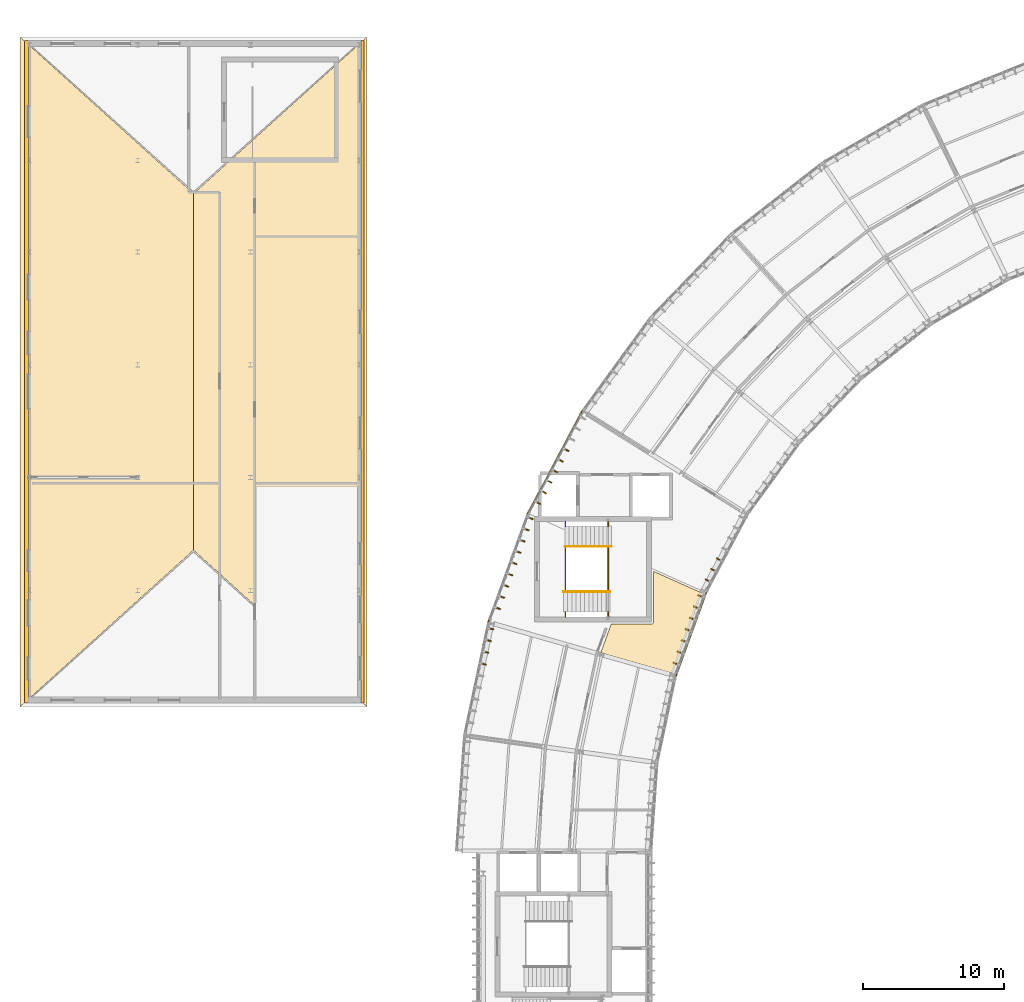
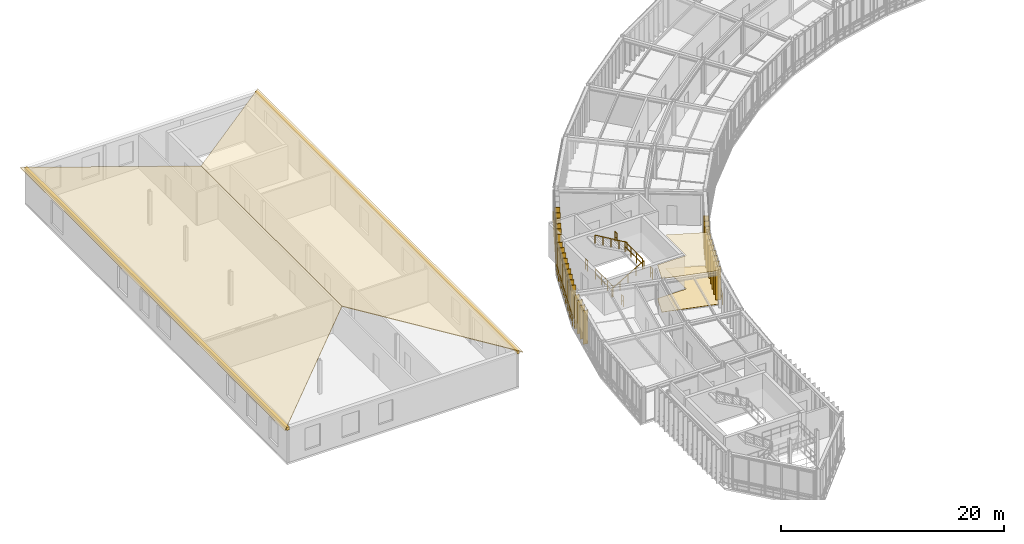
# One storey, part 38 of 42: 35 coverings, 11 railings.
"""IFC4 building model written with IfcOpenShell, lengths in metres."""

from ifc_helpers import new_model, si_unit, direction, frame, origin, origin_2d, place, context, subcontext, project, spatial, polyline, rectangle, circle, outline, extrude, material, layer, layer_set, type_object, element, save


model = new_model("IFC4")

# Units and contexts
model_context = context("Model", 3, precision=1e-05, world=origin(), true_north=direction((0.0, 1.0)))
body_context = subcontext(model_context, "Body", "Model", "MODEL_VIEW")
ifc_project = project(units=[si_unit("LENGTHUNIT", "METRE"), si_unit("AREAUNIT", "SQUARE_METRE"), si_unit("VOLUMEUNIT", "CUBIC_METRE"), si_unit("PLANEANGLEUNIT", "RADIAN"), si_unit("MASSUNIT", "GRAM", prefix="KILO"), si_unit("THERMODYNAMICTEMPERATUREUNIT", "KELVIN"), si_unit("POWERUNIT", "WATT")], contexts=[model_context])

# Site, building, storey
site_placement = place(None, origin())
site = spatial("IfcSite", under=ifc_project, at=site_placement, CompositionType="ELEMENT")
building_placement = place(site_placement, origin())
building = spatial("IfcBuilding", under=site, at=building_placement, Name="Solvatero Civic Police Headquarters", CompositionType="ELEMENT")
storey_placement = place(building_placement, frame((0.0, 0.0, 21.60009765625)))
storey = spatial("IfcBuildingStorey", under=building, at=storey_placement, Name="L05", CompositionType="ELEMENT", Elevation=21.60009765625)

# Coverings
ifc_material_1 = material(Name="Mineral-Fibre Acoustic Tile", Category="gypsum")
ifc_layer_1 = layer(ifc_material_1, 0.02490234375)
ifc_layer_set_1 = layer_set([ifc_layer_1], Name="Mineral-Fibre Acoustic Tile")
covering_type_1 = type_object("IfcCoveringType", Name="COV-CEIL-AC", PredefinedType="CEILING", material=ifc_layer_set_1)
covering_1_placement = place(storey_placement, frame((0.0, 0.0, 3.6748046875)))
element("IfcCovering", 1, at=covering_1_placement, inside=storey, type_object=covering_type_1, Name="Acoustic Ceiling Internal Affairs Inspectorate Suite Bay 10", PredefinedType="CEILING", context=body_context, shape_type="SweptSolid", body=[
    extrude(outline(polyline([(50.428466796875, 38.618896484375), (45.343994140625, 40.076904296875), (46.09130859375, 42.1298828125), (48.989990234375, 42.1298828125), (48.997802734375, 42.13037109375), (49.005615234375, 42.131591796875), (49.01318359375, 42.13330078125), (49.0205078125, 42.135986328125), (49.027587890625, 42.139404296875), (49.034423828125, 42.1435546875), (49.040771484375, 42.148193359375), (49.046630859375, 42.1533203125), (49.0517578125, 42.1591796875), (49.056396484375, 42.16552734375), (49.060546875, 42.17236328125), (49.06396484375, 42.179443359375), (49.066650390625, 42.186767578125), (49.068603515625, 42.1943359375), (49.069580078125, 42.2021484375), (49.070068359375, 42.2099609375), (49.070068359375, 45.850830078125), (52.504150390625, 44.322021484375), (50.428466796875, 38.618896484375)])), origin(), (0.0, 0.0, 1.0), 0.025146484375),
])
ifc_material_2 = material(Name="Anodized Bronze Aluminium", Category="aluminium")
ifc_layer_2 = layer(ifc_material_2, 0.080078125)
ifc_layer_set_2 = layer_set([ifc_layer_2], Name="Anodized Bronze Aluminium")
covering_type_2 = type_object("IfcCoveringType", Name="COV-FIN-480", PredefinedType="CLADDING", material=ifc_layer_set_2)
for number, where, z_axis, x_axis, name in (
    (2, (42.85986328125, 54.484375, -0.02001953125), (0.0, 0.0, 1.0), (-0.469471562786, -0.882947592859, 0.0), "Vertical Brise-Soleil Fin 1129"),
    (3, (42.460693359375, 53.73388671875, -0.02001953125), (0.0, 0.0, 1.0), (-0.469471562786, -0.882947592859, 0.0), "Vertical Brise-Soleil Fin 1130"),
    (4, (42.061767578125, 52.9833984375, -0.02001953125), (0.0, 0.0, 1.0), (-0.469471562786, -0.882947592859, 0.0), "Vertical Brise-Soleil Fin 1131"),
    (5, (41.66259765625, 52.23291015625, -0.02001953125), (0.0, 0.0, 1.0), (-0.469471562786, -0.882947592859, 0.0), "Vertical Brise-Soleil Fin 1132"),
    (6, (41.263671875, 51.482421875, -0.02001953125), (0.0, 0.0, 1.0), (-0.469471562786, -0.882947592859, 0.0), "Vertical Brise-Soleil Fin 1133"),
    (7, (40.864501953125, 50.731689453125, -0.02001953125), (0.0, 0.0, 1.0), (-0.469471562786, -0.882947592859, 0.0), "Vertical Brise-Soleil Fin 1134"),
    (8, (53.774169921875, 46.66748046875, -0.02001953125), (0.0, 0.0, 1.0), (-0.469486973057, -0.8829393989, 0.0), "Vertical Brise-Soleil Fin 1139"),
    (9, (53.375, 45.9169921875, -0.02001953125), (0.0, 0.0, 1.0), (-0.469486973057, -0.8829393989, 0.0), "Vertical Brise-Soleil Fin 1140"),
    (10, (52.97607421875, 45.16650390625, -0.02001953125), (0.0, 0.0, 1.0), (-0.469486973057, -0.8829393989, 0.0), "Vertical Brise-Soleil Fin 1141"),
    (11, (40.31884765625, 49.632568359375, -0.02001953125), (0.0, 0.0, 1.0), (-0.342020143326, -0.939692620786, 0.0), "Vertical Brise-Soleil Fin 1142"),
    (12, (40.028076171875, 48.833740234375, -0.02001953125), (0.0, 0.0, 1.0), (-0.342020143326, -0.939692620786, 0.0), "Vertical Brise-Soleil Fin 1143"),
    (13, (39.7373046875, 48.03515625, -0.02001953125), (0.0, 0.0, 1.0), (-0.342020143326, -0.939692620786, 0.0), "Vertical Brise-Soleil Fin 1144"),
    (14, (39.44677734375, 47.236328125, -0.02001953125), (0.0, 0.0, 1.0), (-0.342020143326, -0.939692620786, 0.0), "Vertical Brise-Soleil Fin 1145"),
    (15, (39.156005859375, 46.4375, -0.02001953125), (0.0, 0.0, 1.0), (-0.342020143326, -0.939692620786, 0.0), "Vertical Brise-Soleil Fin 1146"),
    (16, (38.865234375, 45.638916015625, -0.02001953125), (0.0, 0.0, 1.0), (-0.342020143326, -0.939692620786, 0.0), "Vertical Brise-Soleil Fin 1147"),
    (17, (38.57470703125, 44.840087890625, -0.02001953125), (0.0, 0.0, 1.0), (-0.342020143326, -0.939692620786, 0.0), "Vertical Brise-Soleil Fin 1148"),
    (18, (38.283935546875, 44.04150390625, -0.02001953125), (0.0, 0.0, 1.0), (-0.342020143326, -0.939692620786, 0.0), "Vertical Brise-Soleil Fin 1149"),
    (19, (37.9931640625, 43.24267578125, -0.02001953125), (0.0, 0.0, 1.0), (-0.342020143326, -0.939692620786, 0.0), "Vertical Brise-Soleil Fin 1150"),
    (20, (52.45556640625, 44.072509765625, -0.02001953125), (0.0, 0.0, 1.0), (-0.342020143326, -0.939692620786, 0.0), "Vertical Brise-Soleil Fin 1151"),
    (21, (52.164794921875, 43.273681640625, -0.02001953125), (0.0, 0.0, 1.0), (-0.342020143326, -0.939692620786, 0.0), "Vertical Brise-Soleil Fin 1152"),
    (22, (51.8740234375, 42.474853515625, -0.02001953125), (0.0, 0.0, 1.0), (-0.342020143326, -0.939692620786, 0.0), "Vertical Brise-Soleil Fin 1153"),
    (23, (51.58349609375, 41.67626953125, -0.02001953125), (0.0, 0.0, 1.0), (-0.342020143326, -0.939692620786, 0.0), "Vertical Brise-Soleil Fin 1154"),
    (24, (51.292724609375, 40.87744140625, -0.02001953125), (0.0, 0.0, 1.0), (-0.342020143326, -0.939692620786, 0.0), "Vertical Brise-Soleil Fin 1155"),
    (25, (51.001953125, 40.07861328125, -0.02001953125), (0.0, 0.0, 1.0), (-0.342020143326, -0.939692620786, 0.0), "Vertical Brise-Soleil Fin 1156"),
    (26, (50.711181640625, 39.27978515625, -0.02001953125), (0.0, 0.0, 1.0), (-0.342020143326, -0.939692620786, 0.0), "Vertical Brise-Soleil Fin 1157"),
    (27, (37.519775390625, 41.77880859375, -0.02001953125), (0.0, 0.0, 1.0), (-0.207911690818, -0.978147600734, 0.0), "Vertical Brise-Soleil Fin 1158"),
    (28, (37.343017578125, 40.947509765625, -0.02001953125), (0.0, 0.0, 1.0), (-0.207911690818, -0.978147600734, 0.0), "Vertical Brise-Soleil Fin 1159"),
    (29, (37.16650390625, 40.1162109375, -0.02001953125), (0.0, 0.0, 1.0), (-0.207911690818, -0.978147600734, 0.0), "Vertical Brise-Soleil Fin 1160"),
    (30, (36.98974609375, 39.28466796875, -0.02001953125), (0.0, 0.0, 1.0), (-0.207911690818, -0.978147600734, 0.0), "Vertical Brise-Soleil Fin 1161"),
):
    element("IfcCovering", number, at=place(storey_placement, frame(where, z_axis=z_axis, x_axis=x_axis)), inside=storey, type_object=covering_type_2, Name=name, PredefinedType="CLADDING", context=body_context, shape_type="SweptSolid", body=[
        extrude(rectangle(XDim=0.080078125, YDim=0.47998046875, at=origin_2d()), origin(), (0.0, 0.0, 1.0), 3.679931640625),
    ])
ifc_material_3 = material(Name="Venetian Terrazzo Stone", Category="masonry")
ifc_layer_3 = layer(ifc_material_3, 0.034912109375)
ifc_layer_set_3 = layer_set([ifc_layer_3], Name="Venetian Terrazzo Stone")
covering_type_3 = type_object("IfcCoveringType", Name="COV-FLR-TER", PredefinedType="FLOORING", material=ifc_layer_set_3)
covering_2_placement = place(storey_placement, origin())
element("IfcCovering", 31, at=covering_2_placement, inside=storey, type_object=covering_type_3, Name="Flooring Internal Affairs Inspectorate Suite Bay 10", PredefinedType="FLOORING", context=body_context, shape_type="SweptSolid", body=[
    extrude(outline(polyline([(50.428466796875, 38.618896484375), (45.343994140625, 40.076904296875), (46.09130859375, 42.1298828125), (48.989990234375, 42.1298828125), (48.997802734375, 42.13037109375), (49.005615234375, 42.131591796875), (49.01318359375, 42.13330078125), (49.0205078125, 42.135986328125), (49.027587890625, 42.139404296875), (49.034423828125, 42.1435546875), (49.040771484375, 42.148193359375), (49.046630859375, 42.1533203125), (49.0517578125, 42.1591796875), (49.056396484375, 42.16552734375), (49.060546875, 42.17236328125), (49.06396484375, 42.179443359375), (49.066650390625, 42.186767578125), (49.068603515625, 42.1943359375), (49.069580078125, 42.2021484375), (49.070068359375, 42.2099609375), (49.070068359375, 45.850830078125), (52.504150390625, 44.322021484375), (50.428466796875, 38.618896484375)])), origin(), (0.0, 0.0, 1.0), 0.034912109375),
])
ifc_material_4 = material(Name="Lombard Terracotta Clay Tile", Category="masonry")
ifc_layer_4 = layer(ifc_material_4, 0.06005859375)
ifc_layer_set_4 = layer_set([ifc_layer_4], Name="Lombard Terracotta Clay Tile")
covering_type_4 = type_object("IfcCoveringType", Name="COV-RF-TILE", PredefinedType="ROOFING", material=ifc_layer_set_4)
for number, where, z_axis, x_axis, name in (
    (32, (4.139892578125, 83.760009765625, 3.829833984375), (-0.205133872341, 0.0, 0.97873392422), (0.0, -1.0, 0.0), "FOR Lombard Terracotta Hipped Roof Covering W"),
    (33, (28.760009765625, 36.239990234375, 3.829833984375), (0.205133872341, 0.0, 0.97873392422), (0.0, 1.0, 0.0), "FOR Lombard Terracotta Hipped Roof Covering E"),
):
    element("IfcCovering", number, at=place(storey_placement, frame(where, z_axis=z_axis, x_axis=x_axis)), inside=storey, type_object=covering_type_4, Name=name, PredefinedType="ROOFING", context=body_context, shape_type="SweptSolid", body=[
        extrude(outline(polyline([(0.0, 0.0), (47.52001953125, 0.0), (36.405029296875, 12.57753337155826), (11.114990234375, 12.57753337155826), (0.0, 0.0)])), origin(), (0.0, 0.0, -1.0), 0.06005859375),
    ])
ifc_material_5 = material(Name="Cream Limestone Ashlar", Category="masonry")
ifc_layer_5 = layer(ifc_material_5, 0.10009765625)
ifc_layer_set_5 = layer_set([ifc_layer_5], Name="Cream Limestone Ashlar")
covering_type_5 = type_object("IfcCoveringType", Name="COV-TRIM-STONE", PredefinedType="CLADDING", material=ifc_layer_set_5)
covering_3_placement = place(storey_placement, frame((4.60009765625, 60.0, 3.56005859375), z_axis=(0.0, 0.0, 1.0), x_axis=(1.0, 0.0, 0.0)))
element("IfcCovering", 34, at=covering_3_placement, inside=storey, type_object=covering_type_5, Name="Classical Limestone Trim TRIM-V6-L05-W", PredefinedType="CLADDING", context=body_context, shape_type="SweptSolid", body=[
    extrude(rectangle(XDim=0.280029296875, YDim=47.0, at=origin_2d()), origin(), (0.0, 0.0, 1.0), 0.320068359375),
])
covering_4_placement = place(storey_placement, frame((28.43994140625, 60.0, 3.56982421875), z_axis=(0.0, 0.0, 1.0), x_axis=(1.0, 0.0, 0.0)))
element("IfcCovering", 35, at=covering_4_placement, inside=storey, type_object=covering_type_5, Name="Classical Limestone Trim TRIM-V6-L05-E", PredefinedType="CLADDING", context=body_context, shape_type="SweptSolid", body=[
    extrude(rectangle(XDim=0.239990234375, YDim=47.0, at=origin_2d()), origin(), (0.0, 0.0, 1.0), 0.300048828125),
])

# Railings
ifc_material_6 = material(Name="Anodized Bronze and Laminated Glass", Category="glass")
railing_type_1 = type_object("IfcRailingType", Name="RL-BAL-115", PredefinedType="BALUSTRADE", material=ifc_material_6)
railing_1_placement = place(storey_placement, frame((44.01611328125, 57.2333984375, 0.0)))
element("IfcRailing", 36, at=railing_1_placement, inside=storey, type_object=railing_type_1, Name="Glazed Facade Sill Balustrade RL-L05-ARCOUT-B09", PredefinedType="BALUSTRADE", context=body_context, shape_type="SweptSolid", body=[
    extrude(circle(Radius=0.02392578125, at=origin_2d()), frame((0.0, 0.0, 1.1259765625), z_axis=(-0.469495286037, -0.882934978573, 0.0), x_axis=(0.882934978573, -0.469495286037, 0.0)), (0.0, 0.0, 1.0), 8.222900390625),
    extrude(circle(Radius=0.02392578125, at=origin_2d()), frame((0.0, 0.0, 0.55078125), z_axis=(-0.469495286037, -0.882934978573, 0.0), x_axis=(0.882934978573, -0.469495286037, 0.0)), (0.0, 0.0, 1.0), 8.222900390625),
    extrude(circle(Radius=0.02099609375, at=origin_2d()), origin(), (0.0, 0.0, 1.0), 1.101806640625),
    extrude(circle(Radius=0.02099609375, at=origin_2d()), frame((-0.551513671875, -1.037109375, 0.0)), (0.0, 0.0, 1.0), 1.101806640625),
    extrude(circle(Radius=0.02099609375, at=origin_2d()), frame((-1.10302734375, -2.074462890625, 0.0)), (0.0, 0.0, 1.0), 1.101806640625),
    extrude(circle(Radius=0.02099609375, at=origin_2d()), frame((-1.654541015625, -3.111572265625, 0.0)), (0.0, 0.0, 1.0), 1.101806640625),
    extrude(circle(Radius=0.02099609375, at=origin_2d()), frame((-2.2060546875, -4.148681640625, 0.0)), (0.0, 0.0, 1.0), 1.101806640625),
    extrude(circle(Radius=0.02099609375, at=origin_2d()), frame((-2.757568359375, -5.185791015625, 0.0)), (0.0, 0.0, 1.0), 1.101806640625),
    extrude(circle(Radius=0.02099609375, at=origin_2d()), frame((-3.30908203125, -6.22314453125, 0.0)), (0.0, 0.0, 1.0), 1.101806640625),
    extrude(circle(Radius=0.02099609375, at=origin_2d()), frame((-3.860595703125, -7.26025390625, 0.0)), (0.0, 0.0, 1.0), 1.101806640625),
])
railing_2_placement = place(storey_placement, frame((52.835693359375, 44.32763671875, 0.0)))
element("IfcRailing", 37, at=railing_2_placement, inside=storey, type_object=railing_type_1, Name="Glazed Facade Sill Balustrade RL-L05-ARCIN-B10", PredefinedType="BALUSTRADE", context=body_context, shape_type="SweptSolid", body=[
    extrude(circle(Radius=0.02392578125, at=origin_2d()), frame((0.0, 0.0, 1.1259765625), z_axis=(-0.342020563113, -0.939692467996, 0.0), x_axis=(0.939692467996, -0.342020563113, 0.0)), (0.0, 0.0, 1.0), 6.28662109375),
    extrude(circle(Radius=0.02392578125, at=origin_2d()), frame((0.0, 0.0, 0.55078125), z_axis=(-0.342020563113, -0.939692467996, 0.0), x_axis=(0.939692467996, -0.342020563113, 0.0)), (0.0, 0.0, 1.0), 6.28662109375),
    extrude(circle(Radius=0.02099609375, at=origin_2d()), origin(), (0.0, 0.0, 1.0), 1.101806640625),
    extrude(circle(Radius=0.02099609375, at=origin_2d()), frame((-0.3583984375, -0.984619140625, 0.0)), (0.0, 0.0, 1.0), 1.101806640625),
    extrude(circle(Radius=0.02099609375, at=origin_2d()), frame((-0.716796875, -1.96923828125, 0.0)), (0.0, 0.0, 1.0), 1.101806640625),
    extrude(circle(Radius=0.02099609375, at=origin_2d()), frame((-1.0751953125, -2.95361328125, 0.0)), (0.0, 0.0, 1.0), 1.101806640625),
    extrude(circle(Radius=0.02099609375, at=origin_2d()), frame((-1.433349609375, -3.938232421875, 0.0)), (0.0, 0.0, 1.0), 1.101806640625),
    extrude(circle(Radius=0.02099609375, at=origin_2d()), frame((-1.791748046875, -4.9228515625, 0.0)), (0.0, 0.0, 1.0), 1.101806640625),
    extrude(circle(Radius=0.02099609375, at=origin_2d()), frame((-2.150146484375, -5.907470703125, 0.0)), (0.0, 0.0, 1.0), 1.101806640625),
])
railing_3_placement = place(storey_placement, frame((40.155517578125, 49.97314453125, 0.0)))
element("IfcRailing", 38, at=railing_3_placement, inside=storey, type_object=railing_type_1, Name="Glazed Facade Sill Balustrade RL-L05-ARCOUT-B10", PredefinedType="BALUSTRADE", context=body_context, shape_type="SweptSolid", body=[
    extrude(circle(Radius=0.02392578125, at=origin_2d()), frame((0.0, 0.0, 1.1259765625), z_axis=(-0.342002894578, -0.939698898637, 0.0), x_axis=(0.939698898637, -0.342002894578, 0.0)), (0.0, 0.0, 1.0), 8.222900390625),
    extrude(circle(Radius=0.02392578125, at=origin_2d()), frame((0.0, 0.0, 0.55078125), z_axis=(-0.342002894578, -0.939698898637, 0.0), x_axis=(0.939698898637, -0.342002894578, 0.0)), (0.0, 0.0, 1.0), 8.222900390625),
    extrude(circle(Radius=0.02099609375, at=origin_2d()), origin(), (0.0, 0.0, 1.0), 1.101806640625),
    extrude(circle(Radius=0.02099609375, at=origin_2d()), frame((-0.40185546875, -1.103759765625, 0.0)), (0.0, 0.0, 1.0), 1.101806640625),
    extrude(circle(Radius=0.02099609375, at=origin_2d()), frame((-0.803466796875, -2.207763671875, 0.0)), (0.0, 0.0, 1.0), 1.101806640625),
    extrude(circle(Radius=0.02099609375, at=origin_2d()), frame((-1.205322265625, -3.3115234375, 0.0)), (0.0, 0.0, 1.0), 1.101806640625),
    extrude(circle(Radius=0.02099609375, at=origin_2d()), frame((-1.60693359375, -4.41552734375, 0.0)), (0.0, 0.0, 1.0), 1.101806640625),
    extrude(circle(Radius=0.02099609375, at=origin_2d()), frame((-2.0087890625, -5.519287109375, 0.0)), (0.0, 0.0, 1.0), 1.101806640625),
    extrude(circle(Radius=0.02099609375, at=origin_2d()), frame((-2.410400390625, -6.623291015625, 0.0)), (0.0, 0.0, 1.0), 1.101806640625),
    extrude(circle(Radius=0.02099609375, at=origin_2d()), frame((-2.812255859375, -7.72705078125, 0.0)), (0.0, 0.0, 1.0), 1.101806640625),
])
ifc_material_7 = material(Name="Painted Galvanized Steel", Category="steel")
railing_type_2 = type_object("IfcRailingType", Name="RL-GRD-110", PredefinedType="GUARDRAIL", material=ifc_material_7)
railing_4_placement = place(storey_placement, frame((42.830078125, 44.429931640625, 0.0)))
element("IfcRailing", 39, at=railing_4_placement, inside=storey, type_object=railing_type_2, Name="ST-C2 L05 Floor Well Guardrail", PredefinedType="GUARDRAIL", context=body_context, shape_type="SweptSolid", body=[
    extrude(circle(Radius=0.02392578125, at=origin_2d()), frame((0.0, 0.0, 1.09619140625), z_axis=(0.0, 1.0, 0.0), x_axis=(-1.0, 0.0, 0.0)), (0.0, 0.0, 1.0), 3.14013671875),
    extrude(circle(Radius=0.02392578125, at=origin_2d()), frame((0.0, 0.0, 0.5361328125), z_axis=(0.0, 1.0, 0.0), x_axis=(-1.0, 0.0, 0.0)), (0.0, 0.0, 1.0), 3.14013671875),
    extrude(circle(Radius=0.02099609375, at=origin_2d()), origin(), (0.0, 0.0, 1.0), 1.072021484375),
    extrude(circle(Radius=0.02099609375, at=origin_2d()), frame((0.0, 1.046630859375, 0.0)), (0.0, 0.0, 1.0), 1.072021484375),
    extrude(circle(Radius=0.02099609375, at=origin_2d()), frame((0.0, 2.093505859375, 0.0)), (0.0, 0.0, 1.0), 1.072021484375),
    extrude(circle(Radius=0.02099609375, at=origin_2d()), frame((0.0, 3.14013671875, 0.0)), (0.0, 0.0, 1.0), 1.072021484375),
])
for number, where, name in (
    (40, (42.830078125, 42.610107421875, 0.0), "ST-C2 L05 Floor Well South Slot Guardrail"),
    (41, (42.830078125, 49.030029296875, 0.0), "ST-C2 L05 Floor Well North Slot Guardrail"),
):
    element("IfcRailing", number, at=place(storey_placement, frame(where)), inside=storey, type_object=railing_type_2, Name=name, PredefinedType="GUARDRAIL", context=body_context, shape_type="SweptSolid", body=[
        extrude(circle(Radius=0.02392578125, at=origin_2d()), frame((0.0, 0.0, 1.09619140625), z_axis=(0.0, 1.0, 0.0), x_axis=(-1.0, 0.0, 0.0)), (0.0, 0.0, 1.0), 0.35986328125),
        extrude(circle(Radius=0.02392578125, at=origin_2d()), frame((0.0, 0.0, 0.5361328125), z_axis=(0.0, 1.0, 0.0), x_axis=(-1.0, 0.0, 0.0)), (0.0, 0.0, 1.0), 0.35986328125),
        extrude(circle(Radius=0.02099609375, at=origin_2d()), origin(), (0.0, 0.0, 1.0), 1.072021484375),
        extrude(circle(Radius=0.02099609375, at=origin_2d()), frame((0.0, 0.35986328125, 0.0)), (0.0, 0.0, 1.0), 1.072021484375),
    ])
railing_5_placement = place(storey_placement, frame((45.8701171875, 44.429931640625, 1.949951171875)))
element("IfcRailing", 42, at=railing_5_placement, inside=storey, type_object=railing_type_2, Name="ST-C2 L05 Half-Landing Well Guardrail", PredefinedType="GUARDRAIL", context=body_context, shape_type="SweptSolid", body=[
    extrude(circle(Radius=0.02392578125, at=origin_2d()), frame((0.0, 0.0, 1.09619140625), z_axis=(0.0, 1.0, 0.0), x_axis=(-1.0, 0.0, 0.0)), (0.0, 0.0, 1.0), 3.14013671875),
    extrude(circle(Radius=0.02392578125, at=origin_2d()), frame((0.0, 0.0, 0.5361328125), z_axis=(0.0, 1.0, 0.0), x_axis=(-1.0, 0.0, 0.0)), (0.0, 0.0, 1.0), 3.14013671875),
    extrude(circle(Radius=0.02099609375, at=origin_2d()), origin(), (0.0, 0.0, 1.0), 1.072021484375),
    extrude(circle(Radius=0.02099609375, at=origin_2d()), frame((0.0, 1.046630859375, 0.0)), (0.0, 0.0, 1.0), 1.072021484375),
    extrude(circle(Radius=0.02099609375, at=origin_2d()), frame((0.0, 2.093505859375, 0.0)), (0.0, 0.0, 1.0), 1.072021484375),
    extrude(circle(Radius=0.02099609375, at=origin_2d()), frame((0.0, 3.14013671875, 0.0)), (0.0, 0.0, 1.0), 1.072021484375),
])
for number, where, name in (
    (43, (45.8701171875, 42.610107421875, 1.949951171875), "ST-C2 L05 Half-Landing South Slot Guardrail"),
    (44, (45.8701171875, 49.030029296875, 1.949951171875), "ST-C2 L05 Half-Landing North Slot Guardrail"),
):
    element("IfcRailing", number, at=place(storey_placement, frame(where)), inside=storey, type_object=railing_type_2, Name=name, PredefinedType="GUARDRAIL", context=body_context, shape_type="SweptSolid", body=[
        extrude(circle(Radius=0.02392578125, at=origin_2d()), frame((0.0, 0.0, 1.09619140625), z_axis=(0.0, 1.0, 0.0), x_axis=(-1.0, 0.0, 0.0)), (0.0, 0.0, 1.0), 0.35986328125),
        extrude(circle(Radius=0.02392578125, at=origin_2d()), frame((0.0, 0.0, 0.5361328125), z_axis=(0.0, 1.0, 0.0), x_axis=(-1.0, 0.0, 0.0)), (0.0, 0.0, 1.0), 0.35986328125),
        extrude(circle(Radius=0.02099609375, at=origin_2d()), origin(), (0.0, 0.0, 1.0), 1.072021484375),
        extrude(circle(Radius=0.02099609375, at=origin_2d()), frame((0.0, 0.35986328125, 0.0)), (0.0, 0.0, 1.0), 1.072021484375),
    ])
ifc_material_8 = material(Name="Brushed Stainless Steel", Category="steel")
railing_type_3 = type_object("IfcRailingType", Name="RL-HND-092", PredefinedType="HANDRAIL", material=ifc_material_8)
railing_6_placement = place(storey_placement, frame((42.699951171875, 44.39990234375, 0.0)))
element("IfcRailing", 45, at=railing_6_placement, inside=storey, type_object=railing_type_3, Name="ST-C2 L05 Flight 1 Handrail", PredefinedType="HANDRAIL", context=body_context, shape_type="SweptSolid", body=[
    extrude(circle(Radius=0.02392578125, at=origin_2d()), frame((0.0, 0.0, 0.89599609375), z_axis=(0.860935404107, 0.0, 0.508714291086), x_axis=(0.0, 1.0, 0.0)), (0.0, 0.0, 1.0), 3.8330078125),
    extrude(circle(Radius=0.02099609375, at=origin_2d()), origin(), (0.0, 0.0, 1.0), 0.871826171875),
    extrude(circle(Radius=0.02099609375, at=origin_2d()), frame((0.824951171875, 0.0, 0.487548828125)), (0.0, 0.0, 1.0), 0.871826171875),
    extrude(circle(Radius=0.02099609375, at=origin_2d()), frame((1.64990234375, 0.0, 0.97509765625)), (0.0, 0.0, 1.0), 0.871826171875),
    extrude(circle(Radius=0.02099609375, at=origin_2d()), frame((2.47509765625, 0.0, 1.46240234375)), (0.0, 0.0, 1.0), 0.871826171875),
    extrude(circle(Radius=0.02099609375, at=origin_2d()), frame((3.300048828125, 0.0, 1.949951171875)), (0.0, 0.0, 1.0), 0.871826171875),
])
railing_7_placement = place(storey_placement, frame((46.10009765625, 47.60009765625, 1.949951171875)))
element("IfcRailing", 46, at=railing_7_placement, inside=storey, type_object=railing_type_3, Name="ST-C2 L05 Flight 2 Handrail", PredefinedType="HANDRAIL", context=body_context, shape_type="SweptSolid", body=[
    extrude(circle(Radius=0.02392578125, at=origin_2d()), frame((0.0, 0.0, 0.89599609375), z_axis=(-0.860935404107, 0.0, 0.508714291086), x_axis=(0.0, -1.0, 0.0)), (0.0, 0.0, 1.0), 3.8330078125),
    extrude(circle(Radius=0.02099609375, at=origin_2d()), origin(), (0.0, 0.0, 1.0), 0.871826171875),
    extrude(circle(Radius=0.02099609375, at=origin_2d()), frame((-0.824951171875, 0.0, 0.487548828125)), (0.0, 0.0, 1.0), 0.871826171875),
    extrude(circle(Radius=0.02099609375, at=origin_2d()), frame((-1.64990234375, 0.0, 0.97509765625)), (0.0, 0.0, 1.0), 0.871826171875),
    extrude(circle(Radius=0.02099609375, at=origin_2d()), frame((-2.47509765625, 0.0, 1.46240234375)), (0.0, 0.0, 1.0), 0.871826171875),
    extrude(circle(Radius=0.02099609375, at=origin_2d()), frame((-3.300048828125, 0.0, 1.949951171875)), (0.0, 0.0, 1.0), 0.871826171875),
])

save(model, "model.ifc")
